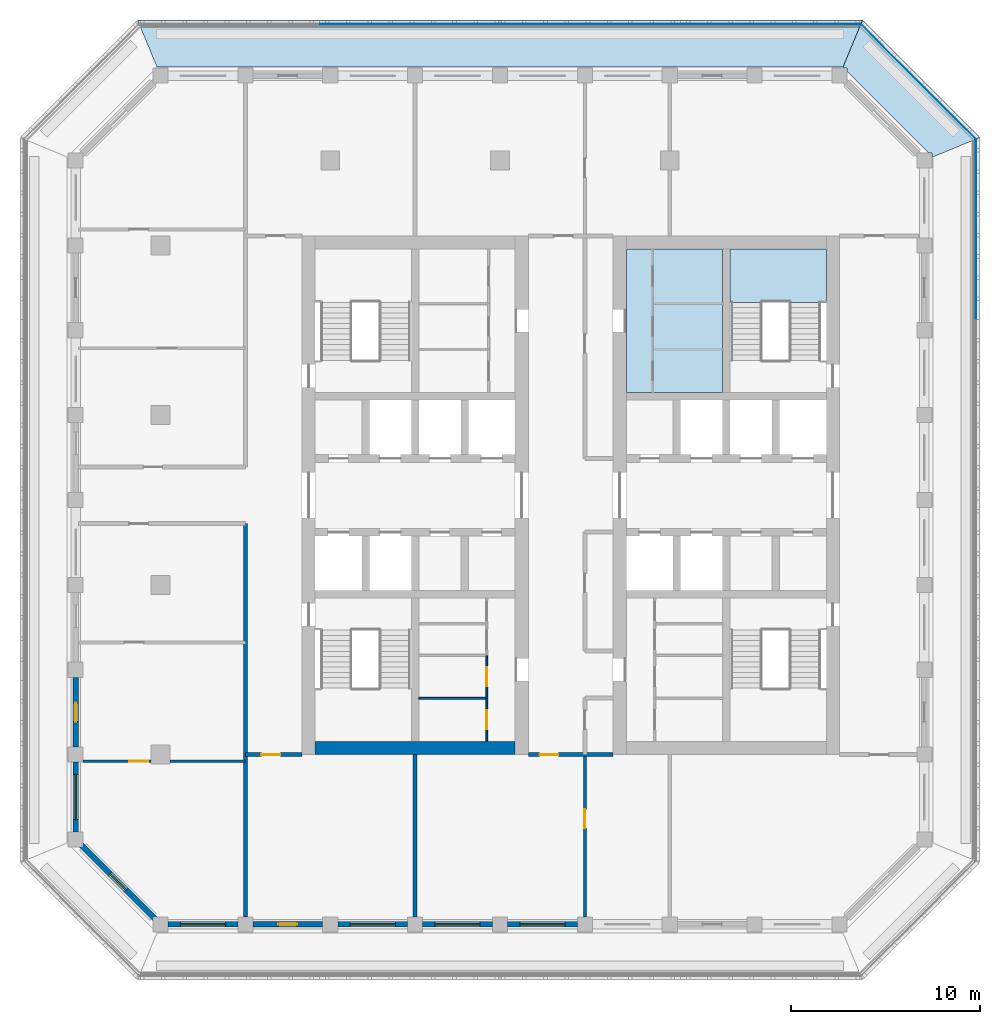
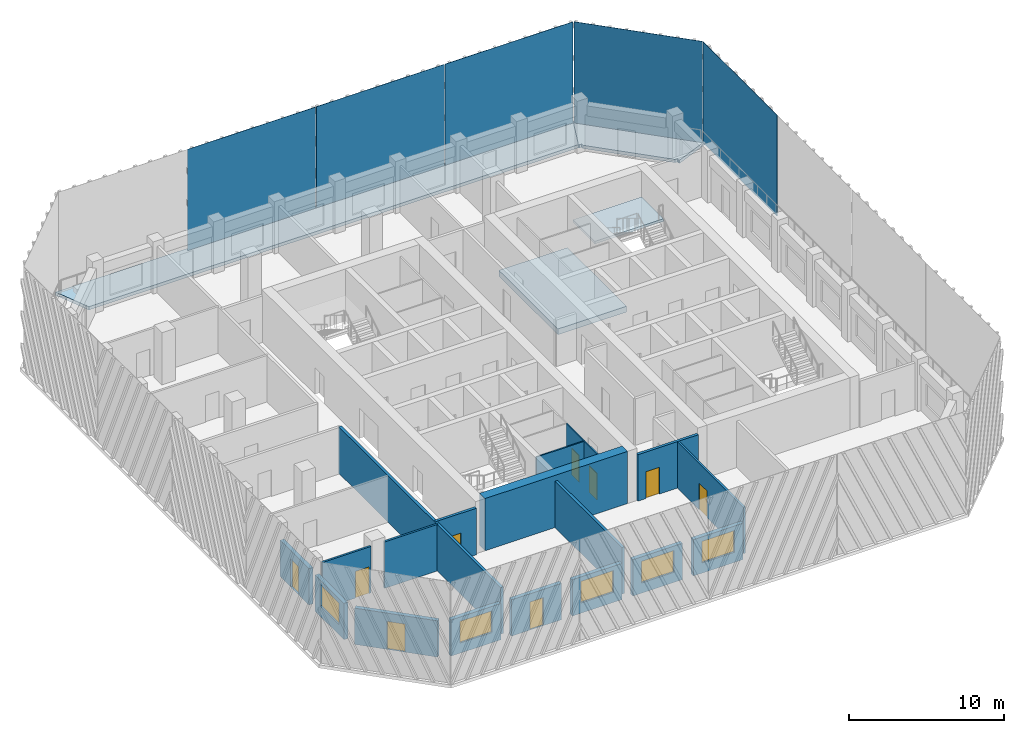
# One storey, part 2 of 15: 19 walls, 9 doors, 5 plates, 5 windows, 4 slabs, 14 openings, 1 element without a shape of its own.
"""IFC4 building model written with IfcOpenShell, lengths in metres."""

from ifc_helpers import new_model, si_unit, direction, frame, frame_2d, origin, origin_2d, place, context, subcontext, project, spatial, polyline, rectangle, outline, extrude, material, layer, layer_set, type_object, element, fill, aggregate, save


model = new_model("IFC4")

# Units and contexts
model_context = context("Model", 3, precision=1e-05, world=origin(), true_north=direction((0.0, 1.0)))
body_context = subcontext(model_context, "Body", "Model", "MODEL_VIEW")
ifc_project = project(units=[si_unit("LENGTHUNIT", "METRE"), si_unit("AREAUNIT", "SQUARE_METRE"), si_unit("VOLUMEUNIT", "CUBIC_METRE"), si_unit("PLANEANGLEUNIT", "RADIAN"), si_unit("MASSUNIT", "GRAM", prefix="KILO")], contexts=[model_context])

# Site, building, storey
site_placement = place(None, origin())
site = spatial("IfcSite", under=ifc_project, at=site_placement, CompositionType="ELEMENT")
building_placement = place(site_placement, origin())
building = spatial("IfcBuilding", under=site, at=building_placement, Name="Corbel Stack Research Tower", CompositionType="ELEMENT")
storey_placement = place(building_placement, frame((0.0, 0.0, 282.699951171875)))
storey = spatial("IfcBuildingStorey", under=building, at=storey_placement, Name="L64", CompositionType="ELEMENT", Elevation=282.699951171875)

# Plates
ifc_material_1 = material(Name="Fritted glass", Category="glass")
ifc_layer_1 = layer(ifc_material_1, 0.02490234375)
ifc_layer_set_1 = layer_set([ifc_layer_1], Name="Fritted glass")
plate_type = type_object("IfcPlateType", Name="Fritted glass panel 25", PredefinedType="SHEET", material=ifc_layer_set_1)
plate_1_placement = place(storey_placement, frame((25.237548828125, 18.854248046875, 0.0), z_axis=(0.0, 0.0, 1.0), x_axis=(0.0, 1.0, 0.0)))
element("IfcPlate", 1, at=plate_1_placement, inside=storey, type_object=plate_type, Name="Fritted glass L64 E4", PredefinedType="SHEET", context=body_context, shape_type="SweptSolid", body=[
    extrude(rectangle(XDim=9.509521484375, YDim=0.02490234375, at=origin_2d()), origin(), (0.0, 0.0, 1.0), 7.949951171875),
])
plate_2_placement = place(storey_placement, frame((22.185791015625, 26.685791015625, 0.0), z_axis=(0.0, 0.0, 1.0), x_axis=(-0.707106781187, 0.707106781187, 0.0)))
element("IfcPlate", 2, at=plate_2_placement, inside=storey, type_object=plate_type, Name="Fritted glass L64 NE1", PredefinedType="SHEET", context=body_context, shape_type="SweptSolid", body=[
    extrude(rectangle(XDim=8.58203125, YDim=0.02490234375, at=origin_2d()), origin(), (0.0, 0.0, 1.0), 7.949951171875),
])
for number, where, z_axis, x_axis, name in (
    (3, (14.354248046875, 29.737548828125, 0.0), (0.0, 0.0, 1.0), (-1.0, 0.0, 0.0), "Fritted glass L64 N1"),
    (4, (4.784912109375, 29.737548828125, 0.0), (0.0, 0.0, 1.0), (-1.0, 0.0, 0.0), "Fritted glass L64 N2"),
    (5, (-4.784912109375, 29.737548828125, 0.0), (0.0, 0.0, 1.0), (-1.0, 0.0, 0.0), "Fritted glass L64 N3"),
):
    element("IfcPlate", number, at=place(storey_placement, frame(where, z_axis=z_axis, x_axis=x_axis)), inside=storey, type_object=plate_type, Name=name, PredefinedType="SHEET", context=body_context, shape_type="SweptSolid", body=[
        extrude(rectangle(XDim=9.509521484375, YDim=0.02490234375, at=origin_2d()), origin(), (0.0, 0.0, 1.0), 7.949951171875),
    ])

# Slabs
ifc_material_2 = material(Name="Concrete C45/55", Category="concrete")
ifc_layer_2 = layer(ifc_material_2, 0.25)
ifc_layer_set_2 = layer_set([ifc_layer_2], Name="Concrete C45/55")
slab_type_1 = type_object("IfcSlabType", Name="PT balcony slab 250 C45/55", PredefinedType="FLOOR", material=ifc_layer_set_2)
slab_1_placement = place(storey_placement, frame((0.0, 0.0, -0.25)))
element("IfcSlab", 6, at=slab_1_placement, inside=storey, type_object=slab_type_1, Name="Loggia slab L64 NE", PredefinedType="FLOOR", context=body_context, shape_type="SweptSolid", body=[
    extrude(outline(polyline([(18.186279296875, 27.449951171875), (18.236328125, 27.39990234375), (18.39990234375, 27.39990234375), (18.39990234375, 27.236328125), (22.736328125, 22.89990234375), (22.89990234375, 22.89990234375), (22.89990234375, 22.736328125), (22.949951171875, 22.686279296875), (25.449951171875, 23.721923828125), (19.221923828125, 29.949951171875), (18.186279296875, 27.449951171875)])), origin(), (0.0, 0.0, 1.0), 0.25),
])
slab_2_placement = place(storey_placement, frame((0.0, 0.0, -0.25)))
element("IfcSlab", 7, at=slab_2_placement, inside=storey, type_object=slab_type_1, Name="Loggia slab L64 N", PredefinedType="FLOOR", context=body_context, shape_type="SweptSolid", body=[
    extrude(outline(polyline([(-18.186279296875, 27.449951171875), (18.186279296875, 27.449951171875), (19.221923828125, 29.949951171875), (-19.221923828125, 29.949951171875), (-18.186279296875, 27.449951171875)])), origin(), (0.0, 0.0, 1.0), 0.25),
])
ifc_material_3 = material(Name="Concrete C45/55", Category="concrete")
ifc_layer_3 = layer(ifc_material_3, 0.449951171875)
ifc_layer_set_3 = layer_set([ifc_layer_3], Name="Concrete C45/55")
slab_type_2 = type_object("IfcSlabType", Name="PT-450", PredefinedType="FLOOR", material=ifc_layer_set_3)
slab_3_placement = place(storey_placement, frame((0.0, 0.0, -0.449951171875)))
element("IfcSlab", 8, at=slab_3_placement, inside=storey, type_object=slab_type_2, Name="East core floor L64", PredefinedType="FLOOR", context=body_context, shape_type="SweptSolid", body=[
    extrude(outline(polyline([(6.699951171875, 10.199951171875), (11.800048828125, 10.199951171875), (11.800048828125, 17.800048828125), (6.699951171875, 17.800048828125), (6.699951171875, 10.199951171875)])), origin(), (0.0, 0.0, 1.0), 0.449951171875),
])

# Stair, slab
ifc_material_4 = material(Name="Concrete C40/50", Category="concrete")
stair_type = type_object("IfcStairType", Name="Exit stair 24 risers", PredefinedType="HALF_TURN_STAIR", material=ifc_material_4)
stair_placement = place(storey_placement, origin())
stair = element("IfcStair", 9, at=stair_placement, inside=storey, type_object=stair_type, Name="L64 Exit stair ST-E2", PredefinedType="HALF_TURN_STAIR")
ifc_material_5 = material(Name="Concrete C40/50", Category="concrete")
ifc_layer_4 = layer(ifc_material_5, 0.199951171875)
ifc_layer_set_4 = layer_set([ifc_layer_4], Name="Concrete C40/50")
slab_type_3 = type_object("IfcSlabType", Name="Stair landing 200 C40/50", PredefinedType="LANDING", material=ifc_layer_set_4)
slab_4_placement = place(storey_placement, frame((0.0, 0.0, 1.85009765625)))
slab_4 = element("IfcSlab", 10, at=slab_4_placement, type_object=slab_type_3, Name="ST-E2 landing 1", PredefinedType="LANDING", context=body_context, shape_type="SweptSolid", body=[
    extrude(outline(polyline([(12.199951171875, 14.97998046875), (12.199951171875, 17.800048828125), (17.300048828125, 17.800048828125), (17.300048828125, 14.97998046875), (12.199951171875, 14.97998046875)])), origin(), (0.0, 0.0, 1.0), 0.199951171875),
])
aggregate(stair, [slab_4])

# Wall
ifc_material_6 = material(Name="Concrete C60/75", Category="concrete")
ifc_layer_5 = layer(ifc_material_6, 0.699951171875)
ifc_layer_set_5 = layer_set([ifc_layer_5], Name="Concrete C60/75")
wall_type_1 = type_object("IfcWallType", Name="CW-700-60", PredefinedType="SHEAR", material=ifc_layer_set_5)
wall_1_placement = place(storey_placement, frame((-9.800048828125, -8.64990234375, 0.0), z_axis=(0.0, 0.0, 1.0), x_axis=(1.0, 0.0, 0.0)))
element("IfcWall", 11, at=wall_1_placement, inside=storey, type_object=wall_type_1, Name="West core wall, south end L64", PredefinedType="SHEAR", context=body_context, shape_type="SweptSolid", body=[
    extrude(rectangle(XDim=10.60009765625, YDim=0.699951171875, at=frame_2d((5.300048828125, 0.0))), origin(), (0.0, 0.0, 1.0), 4.10009765625),
])

# Wall, opening, door
ifc_material_7 = material(Name="Gypsum board")
ifc_layer_6 = layer(ifc_material_7, 0.10009765625)
ifc_layer_set_6 = layer_set([ifc_layer_6], Name="Gypsum board")
wall_type_2 = type_object("IfcWallType", Name="Core partition 100", PredefinedType="PARTITIONING", material=ifc_layer_set_6)
wall_2_placement = place(storey_placement, frame((-0.699951171875, -8.300048828125, 0.0), z_axis=(0.0, 0.0, 1.0), x_axis=(0.0, 1.0, 0.0)))
wall_2 = element("IfcWall", 12, at=wall_2_placement, inside=storey, type_object=wall_type_2, Name="Core partition W", PredefinedType="PARTITIONING", context=body_context, shape_type="SweptSolid", body=[
    extrude(rectangle(XDim=2.280029296875, YDim=0.10009765625, at=frame_2d((1.14013671875, 0.0))), origin(), (0.0, 0.0, 1.0), 3.650146484375),
])
opening_1_placement = place(wall_2_placement, frame((0.639892578125, 0.0, 0.0)))
opening_1 = element("IfcOpeningElement", 13, at=opening_1_placement, cuts=wall_2, Name="Opening CR-W42-W2-1000", PredefinedType="OPENING", context=body_context, shape_type="SweptSolid", body=[
    extrude(rectangle(XDim=1.0, YDim=2.10009765625, at=frame_2d((0.5, 1.050048828125))), frame((0.0, 0.06005859375, 0.0), z_axis=(0.0, -1.0, 0.0), x_axis=(1.0, 0.0, 0.0)), (0.0, 0.0, 1.0), 0.1201171875),
])
ifc_material_8 = material(Name="Painted timber door", Category="wood")
door_type_1 = type_object("IfcDoorType", Name="WC door 1000 x 2100 right hand", OperationType="SINGLE_SWING_RIGHT", PredefinedType="DOOR", material=ifc_material_8)
door_1_placement = place(opening_1_placement, origin())
door_1 = element("IfcDoor", 14, at=door_1_placement, inside=storey, type_object=door_type_1, Name="Men's WC door W core", OperationType="SINGLE_SWING_RIGHT", OverallHeight=2.10009765625, OverallWidth=1.0, PredefinedType="DOOR", context=body_context, shape_type="SweptSolid", body=[
    extrude(rectangle(XDim=1.0, YDim=2.10009765625, at=frame_2d((0.5, 1.050048828125))), frame((0.0, 0.02490234375, 0.0), z_axis=(0.0, -1.0, 0.0), x_axis=(1.0, 0.0, 0.0)), (0.0, 0.0, 1.0), 0.050048828125),
])
fill(opening_1, door_1)

wall_3_placement = place(storey_placement, frame((-0.699951171875, -6.02001953125, 0.0), z_axis=(0.0, 0.0, 1.0), x_axis=(0.0, 1.0, 0.0)))
wall_3 = element("IfcWall", 15, at=wall_3_placement, inside=storey, type_object=wall_type_2, Name="Core partition W", PredefinedType="PARTITIONING", context=body_context, shape_type="SweptSolid", body=[
    extrude(rectangle(XDim=2.280029296875, YDim=0.10009765625, at=frame_2d((1.14013671875, 0.0))), origin(), (0.0, 0.0, 1.0), 3.650146484375),
])
opening_2_placement = place(wall_3_placement, frame((0.639892578125, 0.0, 0.0)))
opening_2 = element("IfcOpeningElement", 16, at=opening_2_placement, cuts=wall_3, Name="Opening CR-W42-W3-1000", PredefinedType="OPENING", context=body_context, shape_type="SweptSolid", body=[
    extrude(rectangle(XDim=1.0, YDim=2.10009765625, at=frame_2d((0.5, 1.050048828125))), frame((0.0, 0.06005859375, 0.0), z_axis=(0.0, -1.0, 0.0), x_axis=(1.0, 0.0, 0.0)), (0.0, 0.0, 1.0), 0.1201171875),
])
ifc_material_9 = material(Name="Painted timber door", Category="wood")
door_type_2 = type_object("IfcDoorType", Name="WC door 1000 x 2100 left hand", OperationType="SINGLE_SWING_LEFT", PredefinedType="DOOR", material=ifc_material_9)
door_2_placement = place(opening_2_placement, origin())
door_2 = element("IfcDoor", 17, at=door_2_placement, inside=storey, type_object=door_type_2, Name="Women's WC door W core", OperationType="SINGLE_SWING_LEFT", OverallHeight=2.10009765625, OverallWidth=1.0, PredefinedType="DOOR", context=body_context, shape_type="SweptSolid", body=[
    extrude(rectangle(XDim=1.0, YDim=2.10009765625, at=frame_2d((0.5, 1.050048828125))), frame((0.0, 0.02490234375, 0.0), z_axis=(0.0, -1.0, 0.0), x_axis=(1.0, 0.0, 0.0)), (0.0, 0.0, 1.0), 0.050048828125),
])
fill(opening_2, door_2)

# Wall
wall_4_placement = place(storey_placement, frame((-4.300048828125, -6.02001953125, 0.0), z_axis=(0.0, 0.0, 1.0), x_axis=(1.0, 0.0, 0.0)))
element("IfcWall", 18, at=wall_4_placement, inside=storey, type_object=wall_type_2, Name="Core partition W", PredefinedType="PARTITIONING", context=body_context, shape_type="SweptSolid", body=[
    extrude(rectangle(XDim=3.60009765625, YDim=0.10009765625, at=frame_2d((1.800048828125, 0.0))), origin(), (0.0, 0.0, 1.0), 3.650146484375),
])

# Wall, opening, door
ifc_material_10 = material(Name="Fire-rated gypsum board partition on steel studs", Category="steel")
ifc_layer_7 = layer(ifc_material_10, 0.14990234375)
ifc_layer_set_7 = layer_set([ifc_layer_7], Name="Fire-rated gypsum board partition on steel studs")
wall_type_3 = type_object("IfcWallType", Name="Fire-rated partition 150 EI 60", PredefinedType="PARTITIONING", material=ifc_layer_set_7)
wall_5_placement = place(storey_placement, frame((4.5, -9.0, 0.0), z_axis=(0.0, 0.0, 1.0), x_axis=(0.0, -1.0, 0.0)))
wall_5 = element("IfcWall", 19, at=wall_5_placement, inside=storey, type_object=wall_type_3, Name="Partition L64-005", PredefinedType="PARTITIONING", context=body_context, shape_type="SweptSolid", body=[
    extrude(rectangle(XDim=8.60009765625, YDim=0.14990234375, at=frame_2d((4.300048828125, 0.0))), origin(), (0.0, 0.0, 1.0), 3.650146484375),
])
opening_3_placement = place(wall_5_placement, frame((2.89990234375, 0.0, 0.0)))
opening_3 = element("IfcOpeningElement", 20, at=opening_3_placement, cuts=wall_5, Name="Opening B8V2-007", PredefinedType="OPENING", context=body_context, shape_type="SweptSolid", body=[
    extrude(rectangle(XDim=1.0, YDim=2.10009765625, at=frame_2d((0.5, 1.050048828125))), frame((0.0, 0.0849609375, 0.0), z_axis=(0.0, -1.0, 0.0), x_axis=(1.0, 0.0, 0.0)), (0.0, 0.0, 1.0), 0.169921875),
])
ifc_material_11 = material(Name="Painted steel fire door", Category="steel")
door_type_3 = type_object("IfcDoorType", Name="Fire door FD30S 1000 x 2100", OperationType="NOTDEFINED", PredefinedType="DOOR", material=ifc_material_11)
door_3_placement = place(opening_3_placement, origin())
door_3 = element("IfcDoor", 21, at=door_3_placement, inside=storey, type_object=door_type_3, Name="Door B8V2-007", OperationType="SINGLE_SWING_LEFT", OverallHeight=2.10009765625, OverallWidth=1.0, PredefinedType="DOOR", context=body_context, shape_type="SweptSolid", body=[
    extrude(rectangle(XDim=1.0, YDim=2.10009765625, at=frame_2d((0.5, 1.050048828125))), frame((0.0, 0.02490234375, 0.0), z_axis=(0.0, -1.0, 0.0), x_axis=(1.0, 0.0, 0.0)), (0.0, 0.0, 1.0), 0.050048828125),
])
fill(opening_3, door_3)

# Walls
ifc_material_12 = material(Name="Fire-rated gypsum board partition on steel studs", Category="steel")
ifc_layer_8 = layer(ifc_material_12, 0.199951171875)
ifc_layer_set_8 = layer_set([ifc_layer_8], Name="Fire-rated gypsum board partition on steel studs")
wall_type_4 = type_object("IfcWallType", Name="Fire-rated partition 200 EI 60", PredefinedType="PARTITIONING", material=ifc_layer_set_8)
wall_6_placement = place(storey_placement, frame((-13.5, -17.60009765625, 0.0), z_axis=(0.0, 0.0, 1.0), x_axis=(0.0, 1.0, 0.0)))
element("IfcWall", 22, at=wall_6_placement, inside=storey, type_object=wall_type_4, Name="Partition L64-001", PredefinedType="PARTITIONING", context=body_context, shape_type="SweptSolid", body=[
    extrude(rectangle(XDim=20.85009765625, YDim=0.199951171875, at=frame_2d((10.425048828125, 0.0))), origin(), (0.0, 0.0, 1.0), 3.650146484375),
])
wall_7_placement = place(storey_placement, frame((-4.5, -17.60009765625, 0.0), z_axis=(0.0, 0.0, 1.0), x_axis=(0.0, 1.0, 0.0)))
element("IfcWall", 23, at=wall_7_placement, inside=storey, type_object=wall_type_4, Name="Partition L64-003", PredefinedType="PARTITIONING", context=body_context, shape_type="SweptSolid", body=[
    extrude(rectangle(XDim=8.60009765625, YDim=0.199951171875, at=frame_2d((4.300048828125, 0.0))), origin(), (0.0, 0.0, 1.0), 3.650146484375),
])

# Wall, opening, door
wall_8_placement = place(storey_placement, frame((-10.5, -9.0, 0.0), z_axis=(0.0, 0.0, 1.0), x_axis=(-1.0, 0.0, 0.0)))
wall_8 = element("IfcWall", 24, at=wall_8_placement, inside=storey, type_object=wall_type_4, Name="Partition L64-015", PredefinedType="PARTITIONING", context=body_context, shape_type="SweptSolid", body=[
    extrude(rectangle(XDim=3.0, YDim=0.199951171875, at=frame_2d((1.5, 0.0))), origin(), (0.0, 0.0, 1.0), 3.650146484375),
])
opening_4_placement = place(wall_8_placement, frame((1.14990234375, 0.0, 0.0)))
opening_4 = element("IfcOpeningElement", 25, at=opening_4_placement, cuts=wall_8, Name="Opening B8V2-002", PredefinedType="OPENING", context=body_context, shape_type="SweptSolid", body=[
    extrude(rectangle(XDim=1.0, YDim=2.10009765625, at=frame_2d((0.5, 1.050048828125))), frame((0.0, 0.10986328125, 0.0), z_axis=(0.0, -1.0, 0.0), x_axis=(1.0, 0.0, 0.0)), (0.0, 0.0, 1.0), 0.219970703125),
])
door_4_placement = place(opening_4_placement, origin())
door_4 = element("IfcDoor", 26, at=door_4_placement, inside=storey, type_object=door_type_3, Name="Door B8V2-002", OperationType="SINGLE_SWING_RIGHT", OverallHeight=2.10009765625, OverallWidth=1.0, PredefinedType="DOOR", context=body_context, shape_type="SweptSolid", body=[
    extrude(rectangle(XDim=1.0, YDim=2.10009765625, at=frame_2d((0.5, 1.050048828125))), frame((0.0, 0.02490234375, 0.0), z_axis=(0.0, -1.0, 0.0), x_axis=(1.0, 0.0, 0.0)), (0.0, 0.0, 1.0), 0.050048828125),
])
fill(opening_4, door_4)

wall_9_placement = place(storey_placement, frame((6.0, -9.0, 0.0), z_axis=(0.0, 0.0, 1.0), x_axis=(-1.0, 0.0, 0.0)))
wall_9 = element("IfcWall", 27, at=wall_9_placement, inside=storey, type_object=wall_type_4, Name="Partition L64-016", PredefinedType="PARTITIONING", context=body_context, shape_type="SweptSolid", body=[
    extrude(rectangle(XDim=4.5, YDim=0.199951171875, at=frame_2d((2.25, 0.0))), origin(), (0.0, 0.0, 1.0), 3.650146484375),
])
opening_5_placement = place(wall_9_placement, frame((2.89990234375, 0.0, 0.0)))
opening_5 = element("IfcOpeningElement", 28, at=opening_5_placement, cuts=wall_9, Name="Opening B8V2-003", PredefinedType="OPENING", context=body_context, shape_type="SweptSolid", body=[
    extrude(rectangle(XDim=1.0, YDim=2.10009765625, at=frame_2d((0.5, 1.050048828125))), frame((0.0, 0.10986328125, 0.0), z_axis=(0.0, -1.0, 0.0), x_axis=(1.0, 0.0, 0.0)), (0.0, 0.0, 1.0), 0.219970703125),
])
door_5_placement = place(opening_5_placement, origin())
door_5 = element("IfcDoor", 29, at=door_5_placement, inside=storey, type_object=door_type_3, Name="Door B8V2-003", OperationType="SINGLE_SWING_RIGHT", OverallHeight=2.10009765625, OverallWidth=1.0, PredefinedType="DOOR", context=body_context, shape_type="SweptSolid", body=[
    extrude(rectangle(XDim=1.0, YDim=2.10009765625, at=frame_2d((0.5, 1.050048828125))), frame((0.0, 0.02490234375, 0.0), z_axis=(0.0, -1.0, 0.0), x_axis=(1.0, 0.0, 0.0)), (0.0, 0.0, 1.0), 0.050048828125),
])
fill(opening_5, door_5)

ifc_material_13 = material(Name="Gypsum board partition on steel studs", Category="steel")
ifc_layer_9 = layer(ifc_material_13, 0.14990234375)
ifc_layer_set_9 = layer_set([ifc_layer_9], Name="Gypsum board partition on steel studs")
wall_type_5 = type_object("IfcWallType", Name="Partition 150", PredefinedType="PARTITIONING", material=ifc_layer_set_9)
wall_10_placement = place(storey_placement, frame((-18.5, -9.35009765625, 0.0), z_axis=(0.0, 0.0, 1.0), x_axis=(-1.0, 0.0, 0.0)))
wall_10 = element("IfcWall", 30, at=wall_10_placement, inside=storey, type_object=wall_type_5, Name="Partition L64-013", PredefinedType="PARTITIONING", context=body_context, shape_type="SweptSolid", body=[
    extrude(rectangle(XDim=3.60009765625, YDim=0.14990234375, at=frame_2d((1.800048828125, 0.0))), origin(), (0.0, 0.0, 1.0), 3.650146484375),
])
opening_6_placement = place(wall_10_placement, frame((0.14990234375, 0.0, 0.0)))
opening_6 = element("IfcOpeningElement", 31, at=opening_6_placement, cuts=wall_10, Name="Opening B8V2-001", PredefinedType="OPENING", context=body_context, shape_type="SweptSolid", body=[
    extrude(rectangle(XDim=1.0, YDim=2.10009765625, at=frame_2d((0.5, 1.050048828125))), frame((0.0, 0.0849609375, 0.0), z_axis=(0.0, -1.0, 0.0), x_axis=(1.0, 0.0, 0.0)), (0.0, 0.0, 1.0), 0.169921875),
])
ifc_material_14 = material(Name="Painted timber door", Category="wood")
door_type_4 = type_object("IfcDoorType", Name="Single door 1000 x 2100", OperationType="NOTDEFINED", PredefinedType="DOOR", material=ifc_material_14)
door_6_placement = place(opening_6_placement, origin())
door_6 = element("IfcDoor", 32, at=door_6_placement, inside=storey, type_object=door_type_4, Name="Door B8V2-001", OperationType="SINGLE_SWING_LEFT", OverallHeight=2.10009765625, OverallWidth=1.0, PredefinedType="DOOR", context=body_context, shape_type="SweptSolid", body=[
    extrude(rectangle(XDim=1.0, YDim=2.10009765625, at=frame_2d((0.5, 1.050048828125))), frame((0.0, 0.02490234375, 0.0), z_axis=(0.0, -1.0, 0.0), x_axis=(1.0, 0.0, 0.0)), (0.0, 0.0, 1.0), 0.050048828125),
])
fill(opening_6, door_6)

# Wall
wall_11_placement = place(storey_placement, frame((-17.5, -9.35009765625, 0.0), z_axis=(0.0, 0.0, 1.0), x_axis=(1.0, 0.0, 0.0)))
element("IfcWall", 33, at=wall_11_placement, inside=storey, type_object=wall_type_5, Name="Partition L64-014", PredefinedType="PARTITIONING", context=body_context, shape_type="SweptSolid", body=[
    extrude(rectangle(XDim=4.0, YDim=0.14990234375, at=frame_2d((2.0, 0.0))), origin(), (0.0, 0.0, 1.0), 3.650146484375),
])

# Wall, opening, window
ifc_material_15 = material(Name="Concrete C45/55", Category="concrete")
ifc_layer_10 = layer(ifc_material_15, 0.300048828125)
ifc_layer_set_10 = layer_set([ifc_layer_10], Name="Concrete C45/55")
wall_type_6 = type_object("IfcWallType", Name="Terracotta-faced concrete wall 300", PredefinedType="SOLIDWALL", material=ifc_layer_set_10)
wall_12_placement = place(storey_placement, frame((-13.89990234375, -18.0, 0.0), z_axis=(0.0, 0.0, 1.0), x_axis=(-1.0, 0.0, 0.0)))
wall_12 = element("IfcWall", 34, at=wall_12_placement, inside=storey, type_object=wall_type_6, Name="Facade wall L64 S01", PredefinedType="SOLIDWALL", context=body_context, shape_type="SweptSolid", body=[
    extrude(rectangle(XDim=3.7001953125, YDim=0.300048828125, at=frame_2d((1.85009765625, 0.0))), origin(), (0.0, 0.0, 1.0), 2.85009765625),
])
opening_7_placement = place(wall_12_placement, frame((0.64990234375, 0.0, 0.800048828125)))
opening_7 = element("IfcOpeningElement", 35, at=opening_7_placement, cuts=wall_12, Name="Opening W1", PredefinedType="OPENING", context=body_context, shape_type="SweptSolid", body=[
    extrude(rectangle(XDim=2.39990234375, YDim=1.699951171875, at=frame_2d((1.199951171875, 0.85009765625))), frame((0.0, 0.159912109375, 0.0), z_axis=(0.0, -1.0, 0.0), x_axis=(1.0, 0.0, 0.0)), (0.0, 0.0, 1.0), 0.320068359375),
])
ifc_material_16 = material(Name="Aluminium frame, clear double glazing", Category="aluminium")
window_type = type_object("IfcWindowType", Name="Window W1 2400 x 1700", PartitioningType="SINGLE_PANEL", PredefinedType="WINDOW", material=ifc_material_16)
window_1_placement = place(opening_7_placement, origin())
window_1 = element("IfcWindow", 36, at=window_1_placement, inside=storey, type_object=window_type, Name="Window W1 L64 S01", OverallHeight=1.699951171875, OverallWidth=2.39990234375, PartitioningType="SINGLE_PANEL", PredefinedType="WINDOW", context=body_context, shape_type="SweptSolid", body=[
    extrude(rectangle(XDim=2.39990234375, YDim=1.699951171875, at=frame_2d((1.199951171875, 0.85009765625))), frame((0.0, 0.030029296875, 0.0), z_axis=(0.0, -1.0, 0.0), x_axis=(1.0, 0.0, 0.0)), (0.0, 0.0, 1.0), 0.06005859375),
])
fill(opening_7, window_1)

# Wall, opening, door
wall_13_placement = place(storey_placement, frame((-9.39990234375, -18.0, 0.0), z_axis=(0.0, 0.0, 1.0), x_axis=(-1.0, 0.0, 0.0)))
wall_13 = element("IfcWall", 37, at=wall_13_placement, inside=storey, type_object=wall_type_6, Name="Facade wall L64 S02", PredefinedType="SOLIDWALL", context=body_context, shape_type="SweptSolid", body=[
    extrude(rectangle(XDim=3.7001953125, YDim=0.300048828125, at=frame_2d((1.85009765625, 0.0))), origin(), (0.0, 0.0, 1.0), 2.85009765625),
])
opening_8_placement = place(wall_13_placement, frame((1.35009765625, 0.0, 0.0)))
opening_8 = element("IfcOpeningElement", 38, at=opening_8_placement, cuts=wall_13, Name="Opening L64-B01", PredefinedType="OPENING", context=body_context, shape_type="SweptSolid", body=[
    extrude(rectangle(XDim=1.0, YDim=2.199951171875, at=frame_2d((0.5, 1.10009765625))), frame((0.0, 0.159912109375, 0.0), z_axis=(0.0, -1.0, 0.0), x_axis=(1.0, 0.0, 0.0)), (0.0, 0.0, 1.0), 0.320068359375),
])
ifc_material_17 = material(Name="Aluminium frame, clear double glazing", Category="aluminium")
door_type_5 = type_object("IfcDoorType", Name="Balcony door BD1 1000 x 2200", OperationType="NOTDEFINED", PredefinedType="DOOR", material=ifc_material_17)
door_7_placement = place(opening_8_placement, origin())
door_7 = element("IfcDoor", 39, at=door_7_placement, inside=storey, type_object=door_type_5, Name="Balcony door L64-B01", OperationType="SINGLE_SWING_RIGHT", OverallHeight=2.199951171875, OverallWidth=1.0, PredefinedType="DOOR", context=body_context, shape_type="SweptSolid", body=[
    extrude(rectangle(XDim=1.0, YDim=2.199951171875, at=frame_2d((0.5, 1.10009765625))), frame((0.0, 0.02490234375, 0.0), z_axis=(0.0, -1.0, 0.0), x_axis=(1.0, 0.0, 0.0)), (0.0, 0.0, 1.0), 0.050048828125),
])
fill(opening_8, door_7)

# Wall, opening, window
wall_14_placement = place(storey_placement, frame((-4.89990234375, -18.0, 0.0), z_axis=(0.0, 0.0, 1.0), x_axis=(-1.0, 0.0, 0.0)))
wall_14 = element("IfcWall", 40, at=wall_14_placement, inside=storey, type_object=wall_type_6, Name="Facade wall L64 S03", PredefinedType="SOLIDWALL", context=body_context, shape_type="SweptSolid", body=[
    extrude(rectangle(XDim=3.7001953125, YDim=0.300048828125, at=frame_2d((1.85009765625, 0.0))), origin(), (0.0, 0.0, 1.0), 2.85009765625),
])
opening_9_placement = place(wall_14_placement, frame((0.64990234375, 0.0, 0.800048828125)))
opening_9 = element("IfcOpeningElement", 41, at=opening_9_placement, cuts=wall_14, Name="Opening W1", PredefinedType="OPENING", context=body_context, shape_type="SweptSolid", body=[
    extrude(rectangle(XDim=2.39990234375, YDim=1.699951171875, at=frame_2d((1.199951171875, 0.85009765625))), frame((0.0, 0.159912109375, 0.0), z_axis=(0.0, -1.0, 0.0), x_axis=(1.0, 0.0, 0.0)), (0.0, 0.0, 1.0), 0.320068359375),
])
window_2_placement = place(opening_9_placement, origin())
window_2 = element("IfcWindow", 42, at=window_2_placement, inside=storey, type_object=window_type, Name="Window W1 L64 S03", OverallHeight=1.699951171875, OverallWidth=2.39990234375, PartitioningType="SINGLE_PANEL", PredefinedType="WINDOW", context=body_context, shape_type="SweptSolid", body=[
    extrude(rectangle(XDim=2.39990234375, YDim=1.699951171875, at=frame_2d((1.199951171875, 0.85009765625))), frame((0.0, 0.030029296875, 0.0), z_axis=(0.0, -1.0, 0.0), x_axis=(1.0, 0.0, 0.0)), (0.0, 0.0, 1.0), 0.06005859375),
])
fill(opening_9, window_2)

wall_15_placement = place(storey_placement, frame((-0.39990234375, -18.0, 0.0), z_axis=(0.0, 0.0, 1.0), x_axis=(-1.0, 0.0, 0.0)))
wall_15 = element("IfcWall", 43, at=wall_15_placement, inside=storey, type_object=wall_type_6, Name="Facade wall L64 S04", PredefinedType="SOLIDWALL", context=body_context, shape_type="SweptSolid", body=[
    extrude(rectangle(XDim=3.7001953125, YDim=0.300048828125, at=frame_2d((1.85009765625, 0.0))), origin(), (0.0, 0.0, 1.0), 2.85009765625),
])
opening_10_placement = place(wall_15_placement, frame((0.64990234375, 0.0, 0.800048828125)))
opening_10 = element("IfcOpeningElement", 44, at=opening_10_placement, cuts=wall_15, Name="Opening W1", PredefinedType="OPENING", context=body_context, shape_type="SweptSolid", body=[
    extrude(rectangle(XDim=2.39990234375, YDim=1.699951171875, at=frame_2d((1.199951171875, 0.85009765625))), frame((0.0, 0.159912109375, 0.0), z_axis=(0.0, -1.0, 0.0), x_axis=(1.0, 0.0, 0.0)), (0.0, 0.0, 1.0), 0.320068359375),
])
window_3_placement = place(opening_10_placement, origin())
window_3 = element("IfcWindow", 45, at=window_3_placement, inside=storey, type_object=window_type, Name="Window W1 L64 S04", OverallHeight=1.699951171875, OverallWidth=2.39990234375, PartitioningType="SINGLE_PANEL", PredefinedType="WINDOW", context=body_context, shape_type="SweptSolid", body=[
    extrude(rectangle(XDim=2.39990234375, YDim=1.699951171875, at=frame_2d((1.199951171875, 0.85009765625))), frame((0.0, 0.030029296875, 0.0), z_axis=(0.0, -1.0, 0.0), x_axis=(1.0, 0.0, 0.0)), (0.0, 0.0, 1.0), 0.06005859375),
])
fill(opening_10, window_3)

wall_16_placement = place(storey_placement, frame((4.10009765625, -18.0, 0.0), z_axis=(0.0, 0.0, 1.0), x_axis=(-1.0, 0.0, 0.0)))
wall_16 = element("IfcWall", 46, at=wall_16_placement, inside=storey, type_object=wall_type_6, Name="Facade wall L64 S05", PredefinedType="SOLIDWALL", context=body_context, shape_type="SweptSolid", body=[
    extrude(rectangle(XDim=3.7001953125, YDim=0.300048828125, at=frame_2d((1.85009765625, 0.0))), origin(), (0.0, 0.0, 1.0), 2.85009765625),
])
opening_11_placement = place(wall_16_placement, frame((0.64990234375, 0.0, 0.800048828125)))
opening_11 = element("IfcOpeningElement", 47, at=opening_11_placement, cuts=wall_16, Name="Opening W1", PredefinedType="OPENING", context=body_context, shape_type="SweptSolid", body=[
    extrude(rectangle(XDim=2.39990234375, YDim=1.699951171875, at=frame_2d((1.199951171875, 0.85009765625))), frame((0.0, 0.159912109375, 0.0), z_axis=(0.0, -1.0, 0.0), x_axis=(1.0, 0.0, 0.0)), (0.0, 0.0, 1.0), 0.320068359375),
])
window_4_placement = place(opening_11_placement, origin())
window_4 = element("IfcWindow", 48, at=window_4_placement, inside=storey, type_object=window_type, Name="Window W1 L64 S05", OverallHeight=1.699951171875, OverallWidth=2.39990234375, PartitioningType="SINGLE_PANEL", PredefinedType="WINDOW", context=body_context, shape_type="SweptSolid", body=[
    extrude(rectangle(XDim=2.39990234375, YDim=1.699951171875, at=frame_2d((1.199951171875, 0.85009765625))), frame((0.0, 0.030029296875, 0.0), z_axis=(0.0, -1.0, 0.0), x_axis=(1.0, 0.0, 0.0)), (0.0, 0.0, 1.0), 0.06005859375),
])
fill(opening_11, window_4)

# Wall, opening, door
wall_17_placement = place(storey_placement, frame((-22.5, -8.60009765625, 0.0), z_axis=(0.0, 0.0, 1.0), x_axis=(0.0, 1.0, 0.0)))
wall_17 = element("IfcWall", 49, at=wall_17_placement, inside=storey, type_object=wall_type_6, Name="Facade wall L64 W07", PredefinedType="SOLIDWALL", context=body_context, shape_type="SweptSolid", body=[
    extrude(rectangle(XDim=3.7001953125, YDim=0.300048828125, at=frame_2d((1.85009765625, 0.0))), origin(), (0.0, 0.0, 1.0), 2.85009765625),
])
opening_12_placement = place(wall_17_placement, frame((1.35009765625, 0.0, 0.0)))
opening_12 = element("IfcOpeningElement", 50, at=opening_12_placement, cuts=wall_17, Name="Opening L64-B11", PredefinedType="OPENING", context=body_context, shape_type="SweptSolid", body=[
    extrude(rectangle(XDim=1.0, YDim=2.199951171875, at=frame_2d((0.5, 1.10009765625))), frame((0.0, 0.159912109375, 0.0), z_axis=(0.0, -1.0, 0.0), x_axis=(1.0, 0.0, 0.0)), (0.0, 0.0, 1.0), 0.320068359375),
])
door_8_placement = place(opening_12_placement, origin())
door_8 = element("IfcDoor", 51, at=door_8_placement, inside=storey, type_object=door_type_5, Name="Balcony door L64-B11", OperationType="SINGLE_SWING_LEFT", OverallHeight=2.199951171875, OverallWidth=1.0, PredefinedType="DOOR", context=body_context, shape_type="SweptSolid", body=[
    extrude(rectangle(XDim=1.0, YDim=2.199951171875, at=frame_2d((0.5, 1.10009765625))), frame((0.0, 0.02490234375, 0.0), z_axis=(0.0, -1.0, 0.0), x_axis=(1.0, 0.0, 0.0)), (0.0, 0.0, 1.0), 0.050048828125),
])
fill(opening_12, door_8)

# Wall, opening, window
wall_18_placement = place(storey_placement, frame((-22.5, -13.10009765625, 0.0), z_axis=(0.0, 0.0, 1.0), x_axis=(0.0, 1.0, 0.0)))
wall_18 = element("IfcWall", 52, at=wall_18_placement, inside=storey, type_object=wall_type_6, Name="Facade wall L64 W08", PredefinedType="SOLIDWALL", context=body_context, shape_type="SweptSolid", body=[
    extrude(rectangle(XDim=3.7001953125, YDim=0.300048828125, at=frame_2d((1.85009765625, 0.0))), origin(), (0.0, 0.0, 1.0), 2.85009765625),
])
opening_13_placement = place(wall_18_placement, frame((0.64990234375, 0.0, 0.800048828125)))
opening_13 = element("IfcOpeningElement", 53, at=opening_13_placement, cuts=wall_18, Name="Opening W1", PredefinedType="OPENING", context=body_context, shape_type="SweptSolid", body=[
    extrude(rectangle(XDim=2.39990234375, YDim=1.699951171875, at=frame_2d((1.199951171875, 0.85009765625))), frame((0.0, 0.159912109375, 0.0), z_axis=(0.0, -1.0, 0.0), x_axis=(1.0, 0.0, 0.0)), (0.0, 0.0, 1.0), 0.320068359375),
])
window_5_placement = place(opening_13_placement, origin())
window_5 = element("IfcWindow", 54, at=window_5_placement, inside=storey, type_object=window_type, Name="Window W1 L64 W08", OverallHeight=1.699951171875, OverallWidth=2.39990234375, PartitioningType="SINGLE_PANEL", PredefinedType="WINDOW", context=body_context, shape_type="SweptSolid", body=[
    extrude(rectangle(XDim=2.39990234375, YDim=1.699951171875, at=frame_2d((1.199951171875, 0.85009765625))), frame((0.0, 0.030029296875, 0.0), z_axis=(0.0, -1.0, 0.0), x_axis=(1.0, 0.0, 0.0)), (0.0, 0.0, 1.0), 0.06005859375),
])
fill(opening_13, window_5)

# Wall, opening, door
wall_19_placement = place(storey_placement, frame((-18.2939453125, -17.7060546875, 0.0), z_axis=(0.0, 0.0, 1.0), x_axis=(-0.707106781187, 0.707106781187, 0.0)))
wall_19 = element("IfcWall", 55, at=wall_19_placement, inside=storey, type_object=wall_type_6, Name="Facade wall L64 SW01", PredefinedType="SOLIDWALL", context=body_context, shape_type="SweptSolid", body=[
    extrude(rectangle(XDim=5.532470703125, YDim=0.300048828125, at=frame_2d((2.76611328125, 0.0))), origin(), (0.0, 0.0, 1.0), 2.85009765625),
])
opening_14_placement = place(wall_19_placement, frame((2.166259765625, 0.0, 0.0)))
opening_14 = element("IfcOpeningElement", 56, at=opening_14_placement, cuts=wall_19, Name="Opening L64-B12", PredefinedType="OPENING", context=body_context, shape_type="SweptSolid", body=[
    extrude(rectangle(XDim=1.199951171875, YDim=2.199951171875, at=frame_2d((0.60009765625, 1.10009765625))), frame((0.0, 0.159912109375, 0.0), z_axis=(0.0, -1.0, 0.0), x_axis=(1.0, 0.0, 0.0)), (0.0, 0.0, 1.0), 0.320068359375),
])
ifc_material_18 = material(Name="Aluminium frame, clear double glazing", Category="aluminium")
door_type_6 = type_object("IfcDoorType", Name="Balcony door BD2 1200 x 2200", OperationType="NOTDEFINED", PredefinedType="DOOR", material=ifc_material_18)
door_9_placement = place(opening_14_placement, origin())
door_9 = element("IfcDoor", 57, at=door_9_placement, inside=storey, type_object=door_type_6, Name="Balcony door L64-B12", OperationType="SINGLE_SWING_LEFT", OverallHeight=2.199951171875, OverallWidth=1.199951171875, PredefinedType="DOOR", context=body_context, shape_type="SweptSolid", body=[
    extrude(rectangle(XDim=1.199951171875, YDim=2.199951171875, at=frame_2d((0.60009765625, 1.10009765625))), frame((0.0, 0.02490234375, 0.0), z_axis=(0.0, -1.0, 0.0), x_axis=(1.0, 0.0, 0.0)), (0.0, 0.0, 1.0), 0.050048828125),
])
fill(opening_14, door_9)

save(model, "model.ifc")
